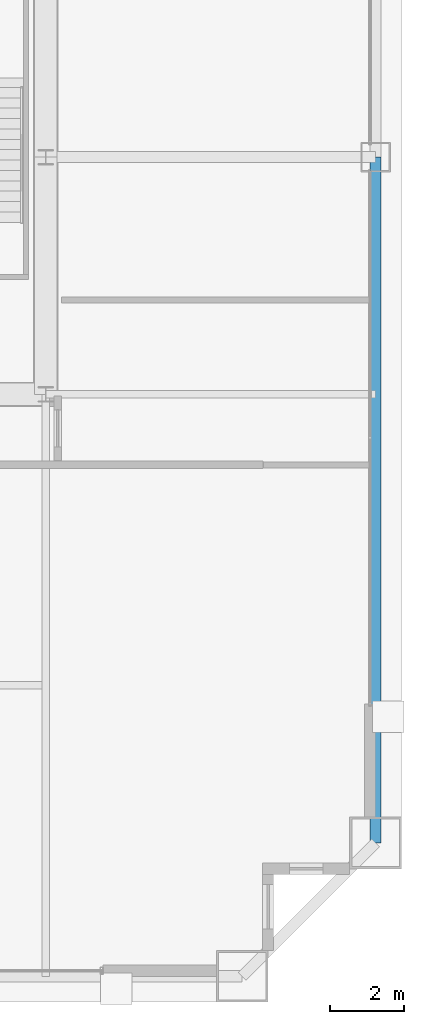
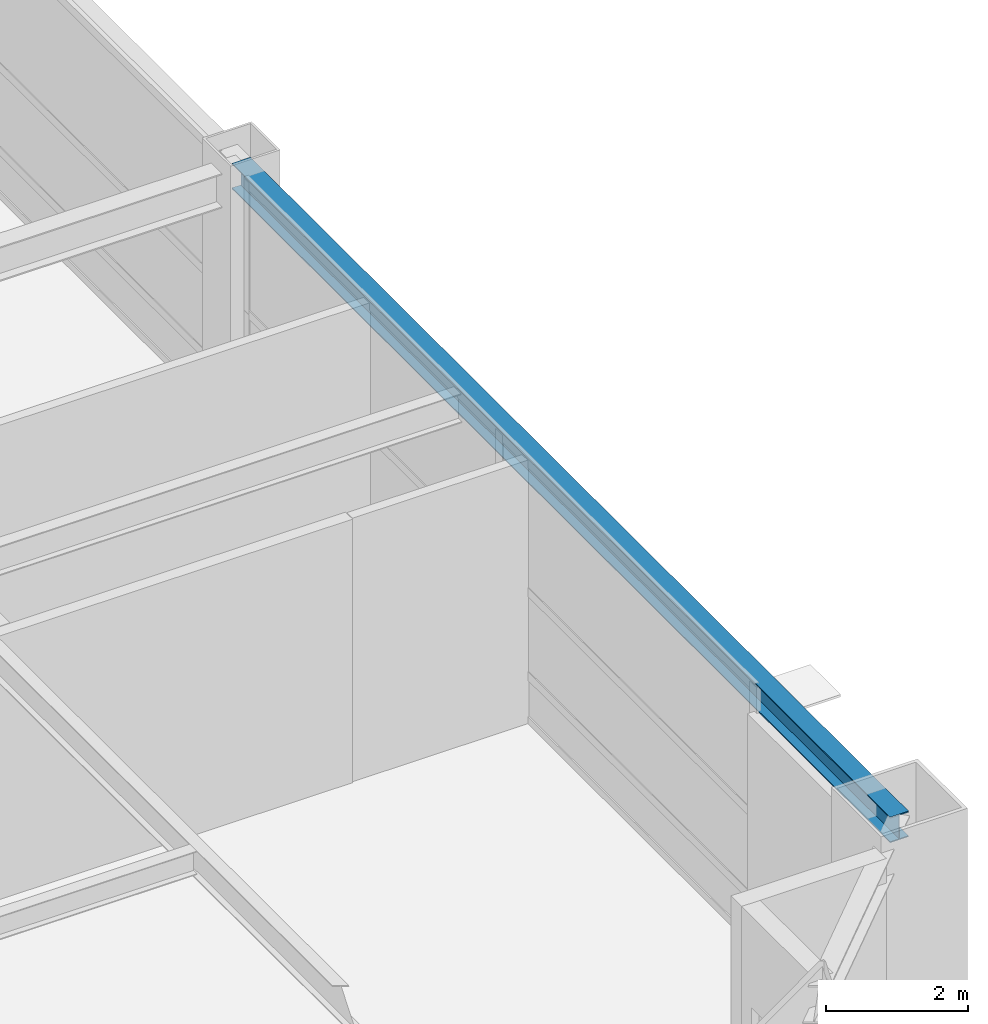
# One storey, part 17 of 34: 1 beam.
"""IFC4 building model written with IfcOpenShell, lengths in metres."""

from ifc_helpers import new_model, si_unit, direction, frame, origin, origin_2d, place, context, subcontext, project, spatial, i_section, extrude, source, transform, mapped, material, material_profile, profile_set, type_object, element, save


model = new_model("IFC4")

# Units and contexts
model_context = context("Model", 3, precision=1e-05, world=origin(), true_north=direction((0.0, 1.0)))
body_context = subcontext(model_context, "Body", "Model", "MODEL_VIEW")
ifc_project = project(units=[si_unit("LENGTHUNIT", "METRE"), si_unit("AREAUNIT", "SQUARE_METRE"), si_unit("VOLUMEUNIT", "CUBIC_METRE"), si_unit("PLANEANGLEUNIT", "RADIAN"), si_unit("MASSUNIT", "GRAM", prefix="KILO"), si_unit("THERMODYNAMICTEMPERATUREUNIT", "KELVIN"), si_unit("POWERUNIT", "WATT")], contexts=[model_context])

# Site, building, storey
site_placement = place(None, origin())
site = spatial("IfcSite", under=ifc_project, at=site_placement, CompositionType="ELEMENT")
building_placement = place(site_placement, origin())
building = spatial("IfcBuilding", under=site, at=building_placement, Name="Yuzanri Waterfront Tower", CompositionType="ELEMENT")
storey_placement = place(building_placement, frame((0.0, 0.0, 171.60009765625)))
storey = spatial("IfcBuildingStorey", under=building, at=storey_placement, Name="L45", CompositionType="ELEMENT", Elevation=171.60009765625)

# Beam
ifc_material = material(Name="Steel Q355B", Category="steel")
ifc_material_profile = material_profile(ifc_material, i_section(OverallWidth=0.300048828125, OverallDepth=0.43994140625, WebThickness=0.010986328125, FlangeThickness=0.01806640625, at=origin_2d()), Name="HM 440x300x11x18")
ifc_profile_set = profile_set([ifc_material_profile], Name="Steel Q355B")
beam_type = type_object("IfcBeamType", Name="Perimeter Spandrel Q355B HM 440x300", PredefinedType="SPANDREL", material=ifc_profile_set)
shared_shape = source(origin(), body_context, "Body", "SweptSolid", [
    extrude(i_section(OverallWidth=0.300048828125, OverallDepth=0.43994140625, WebThickness=0.010986328125, FlangeThickness=0.01806640625, at=origin_2d()), origin(), (0.0, 0.0, 1.0), 18.5),
])
beam_placement = place(storey_placement, frame((59.10009765625, 7.300048828125, 4.2998046875), z_axis=(0.0, 1.0, 0.0), x_axis=(-1.0, 0.0, 0.0)))
element("IfcBeam", 1, at=beam_placement, inside=storey, type_object=beam_type, Name="L45 Perimeter Spandrel E1-E2", PredefinedType="SPANDREL", context=body_context, shape_type="MappedRepresentation", body=[
    mapped(shared_shape, transform((0.0, 0.0, 0.0), scale=1.0)),
])

save(model, "model.ifc")
